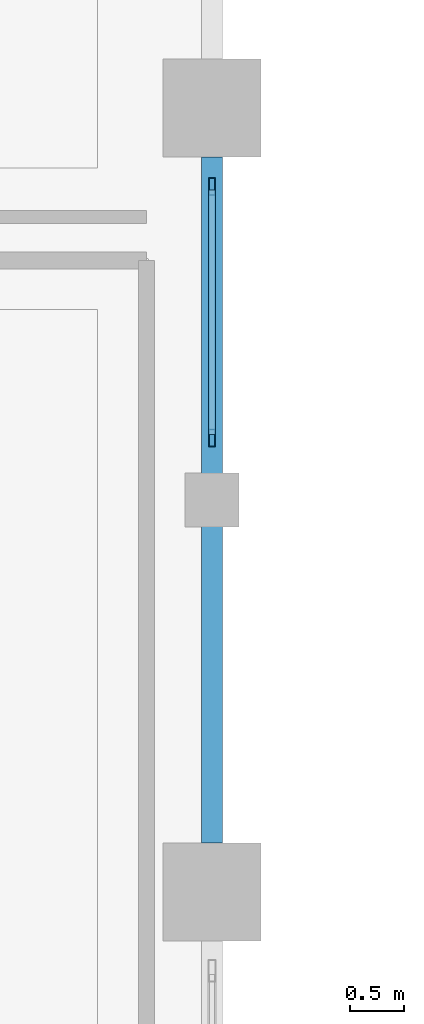
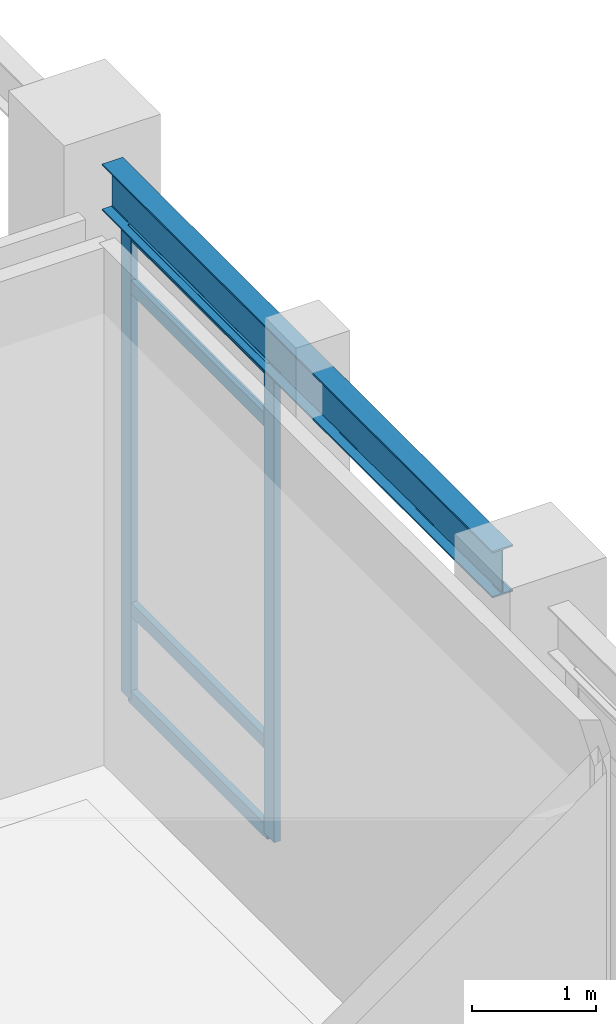
# One storey, part 18 of 102: 6 members, 1 beam, 1 element without a shape of its own.
"""IFC4 building model written with IfcOpenShell, lengths in metres."""

from ifc_helpers import new_model, si_unit, direction, frame, origin, origin_2d, place, context, subcontext, project, spatial, hollow_rectangle, i_section, extrude, material, layer, layer_set, material_profile, profile_set, type_object, element, aggregate, save


model = new_model("IFC4")

# Units and contexts
model_context = context("Model", 3, precision=1e-05, world=origin(), true_north=direction((0.0, 1.0)))
body_context = subcontext(model_context, "Body", "Model", "MODEL_VIEW")
ifc_project = project(units=[si_unit("LENGTHUNIT", "METRE"), si_unit("AREAUNIT", "SQUARE_METRE"), si_unit("VOLUMEUNIT", "CUBIC_METRE"), si_unit("PLANEANGLEUNIT", "RADIAN"), si_unit("MASSUNIT", "GRAM", prefix="KILO")], contexts=[model_context])

# Site, building, storey
site_placement = place(None, origin())
site = spatial("IfcSite", under=ifc_project, at=site_placement, CompositionType="ELEMENT")
building_placement = place(site_placement, origin())
building = spatial("IfcBuilding", under=site, at=building_placement, Name="Carrowvane Square Congress Hotel", CompositionType="ELEMENT")
storey_placement = place(building_placement, origin())
storey = spatial("IfcBuildingStorey", under=building, at=storey_placement, Name="L00", CompositionType="ELEMENT", Elevation=0.0)

# Beam
ifc_material_1 = material(Name="Steel S355", Category="steel")
ifc_material_profile_1 = material_profile(ifc_material_1, i_section(OverallWidth=0.19140625, OverallDepth=0.4599609375, WebThickness=0.010009765625, FlangeThickness=0.01611328125, FilletRadius=0.01025390625, at=origin_2d()), Name="UKB 457x191x82")
ifc_profile_set_1 = profile_set([ifc_material_profile_1], Name="Steel S355")
beam_type = type_object("IfcBeamType", Name="BM-ST-UKB457", PredefinedType="SPANDREL", material=ifc_profile_set_1)
beam_placement = place(storey_placement, frame((62.0, 13.050048828125, 4.8701171875), z_axis=(0.0, 1.0, 0.0), x_axis=(-1.0, 0.0, 0.0)))
element("IfcBeam", 1, at=beam_placement, inside=storey, type_object=beam_type, Name="L01 girder 8/B-C", PredefinedType="SPANDREL", context=body_context, shape_type="SweptSolid", body=[
    extrude(i_section(OverallWidth=0.19140625, OverallDepth=0.4599609375, WebThickness=0.010009765625, FlangeThickness=0.01611328125, FilletRadius=0.01025390625, at=origin_2d()), origin(), (0.0, 0.0, 1.0), 6.300048828125),
])

# Curtain wall, members
ifc_material_2 = material(Name="Anodised aluminium", Category="aluminium")
ifc_layer = layer(ifc_material_2, 0.18603515625)
ifc_layer_set = layer_set([ifc_layer], Name="Anodised aluminium")
curtain_wall_type = type_object("IfcCurtainWallType", Name="CW-SYS-3", PredefinedType="NOTDEFINED", material=ifc_layer_set)
curtain_wall_placement = place(storey_placement, origin())
curtain_wall = element("IfcCurtainWall", 2, at=curtain_wall_placement, inside=storey, type_object=curtain_wall_type, Name="L00 unitised curtain wall 58", PredefinedType="NOTDEFINED")
ifc_material_3 = material(Name="Anodised aluminium", Category="aluminium")
ifc_material_profile_2 = material_profile(ifc_material_3, hollow_rectangle(XDim=0.06005859375, YDim=0.159912109375, WallThickness=0.00390625, at=origin_2d()), Name="CW-ML 60x160x4")
ifc_profile_set_2 = profile_set([ifc_material_profile_2], Name="Anodised aluminium")
member_type_1 = type_object("IfcMemberType", Name="CW-MUL-1", PredefinedType="MULLION", material=ifc_profile_set_2)
member_1_placement = place(storey_placement, frame((62.0, 19.080078125, 0.0), z_axis=(0.0, 0.0, 1.0), x_axis=(1.0, 0.0, 0.0)))
member_1 = element("IfcMember", 3, at=member_1_placement, type_object=member_type_1, Name="CW-3 mullion 1", PredefinedType="MULLION", context=body_context, shape_type="SweptSolid", body=[
    extrude(hollow_rectangle(XDim=0.06005859375, YDim=0.159912109375, WallThickness=0.00390625, at=origin_2d()), origin(), (0.0, 0.0, 1.0), 4.625),
])
member_2_placement = place(storey_placement, frame((62.0, 16.77001953125, 0.0), z_axis=(0.0, 0.0, 1.0), x_axis=(1.0, 0.0, 0.0)))
member_2 = element("IfcMember", 4, at=member_2_placement, type_object=member_type_1, Name="CW-3 mullion 2", PredefinedType="MULLION", context=body_context, shape_type="SweptSolid", body=[
    extrude(hollow_rectangle(XDim=0.06005859375, YDim=0.159912109375, WallThickness=0.00390625, at=origin_2d()), origin(), (0.0, 0.0, 1.0), 4.625),
])
ifc_material_4 = material(Name="Anodised aluminium", Category="aluminium")
ifc_material_profile_3 = material_profile(ifc_material_4, hollow_rectangle(XDim=0.06005859375, YDim=0.1298828125, WallThickness=0.00390625, at=origin_2d()), Name="CW-TR 60x130x4")
ifc_profile_set_3 = profile_set([ifc_material_profile_3], Name="Anodised aluminium")
member_type_2 = type_object("IfcMemberType", Name="CW-TRN-1", PredefinedType="USERDEFINED", material=ifc_profile_set_3)
member_3_placement = place(storey_placement, frame((62.0, 19.050048828125, 0.030029296875), z_axis=(0.0, -1.0, 0.0), x_axis=(1.0, 0.0, 0.0)))
member_3 = element("IfcMember", 5, at=member_3_placement, type_object=member_type_2, Name="CW-3 transom 1.1", ObjectType="TRANSOM", PredefinedType="USERDEFINED", context=body_context, shape_type="SweptSolid", body=[
    extrude(hollow_rectangle(XDim=0.06005859375, YDim=0.1298828125, WallThickness=0.00390625, at=origin_2d()), origin(), (0.0, 0.0, 1.0), 2.25),
])
member_4_placement = place(storey_placement, frame((62.0, 19.050048828125, 0.89990234375), z_axis=(0.0, -1.0, 0.0), x_axis=(1.0, 0.0, 0.0)))
member_4 = element("IfcMember", 6, at=member_4_placement, type_object=member_type_2, Name="CW-3 transom 1.2", ObjectType="TRANSOM", PredefinedType="USERDEFINED", context=body_context, shape_type="SweptSolid", body=[
    extrude(hollow_rectangle(XDim=0.06005859375, YDim=0.1298828125, WallThickness=0.00390625, at=origin_2d()), origin(), (0.0, 0.0, 1.0), 2.25),
])
member_5_placement = place(storey_placement, frame((62.0, 19.050048828125, 4.074951171875), z_axis=(0.0, -1.0, 0.0), x_axis=(1.0, 0.0, 0.0)))
member_5 = element("IfcMember", 7, at=member_5_placement, type_object=member_type_2, Name="CW-3 transom 1.3", ObjectType="TRANSOM", PredefinedType="USERDEFINED", context=body_context, shape_type="SweptSolid", body=[
    extrude(hollow_rectangle(XDim=0.06005859375, YDim=0.1298828125, WallThickness=0.00390625, at=origin_2d()), origin(), (0.0, 0.0, 1.0), 2.25),
])
member_6_placement = place(storey_placement, frame((62.0, 19.050048828125, 4.594970703125), z_axis=(0.0, -1.0, 0.0), x_axis=(1.0, 0.0, 0.0)))
member_6 = element("IfcMember", 8, at=member_6_placement, type_object=member_type_2, Name="CW-3 transom 1.4", ObjectType="TRANSOM", PredefinedType="USERDEFINED", context=body_context, shape_type="SweptSolid", body=[
    extrude(hollow_rectangle(XDim=0.06005859375, YDim=0.1298828125, WallThickness=0.00390625, at=origin_2d()), origin(), (0.0, 0.0, 1.0), 2.25),
])
aggregate(curtain_wall, [member_1, member_2, member_3, member_4, member_5, member_6])

save(model, "model.ifc")
